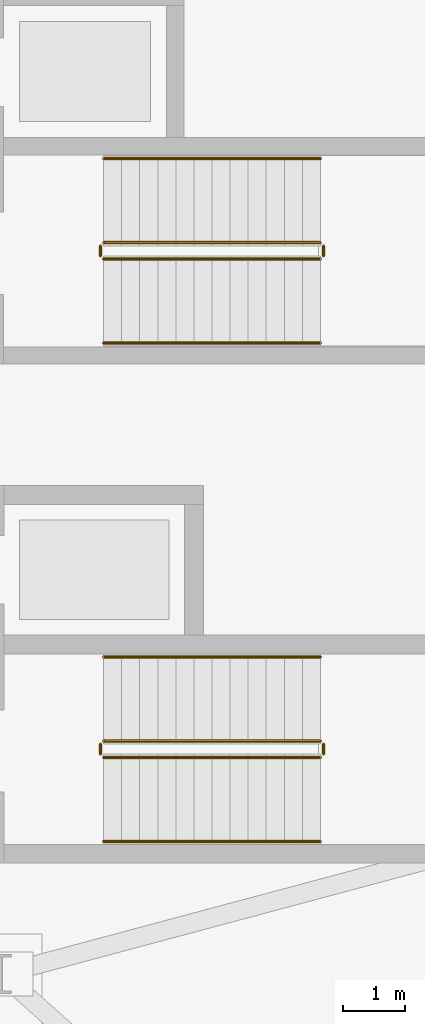
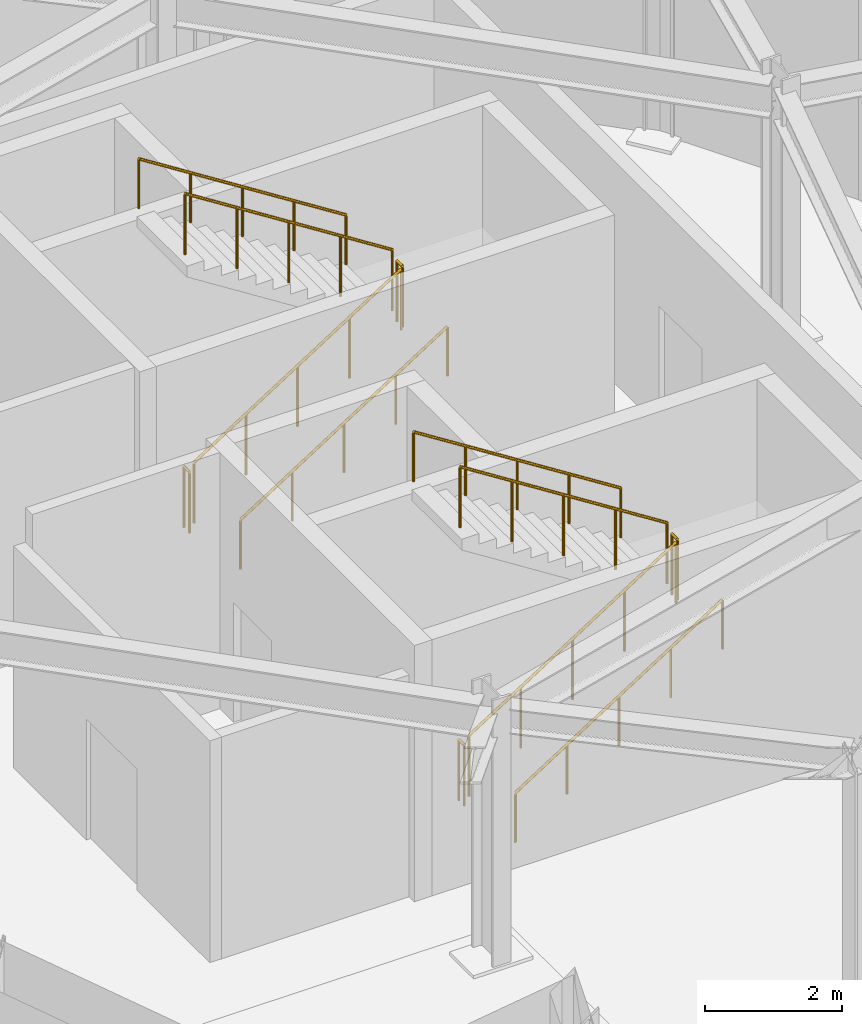
# One storey, part 47 of 50: 12 railings.
"""IFC4 building model written with IfcOpenShell, lengths in metres."""

from ifc_helpers import new_model, si_unit, direction, frame, origin, origin_2d, place, context, subcontext, project, spatial, circle, extrude, material, type_object, element, save


model = new_model("IFC4")

# Units and contexts
model_context = context("Model", 3, precision=1e-05, world=origin(), true_north=direction((0.0, 1.0)))
body_context = subcontext(model_context, "Body", "Model", "MODEL_VIEW")
ifc_project = project(units=[si_unit("LENGTHUNIT", "METRE"), si_unit("AREAUNIT", "SQUARE_METRE"), si_unit("VOLUMEUNIT", "CUBIC_METRE"), si_unit("PLANEANGLEUNIT", "RADIAN"), si_unit("MASSUNIT", "GRAM", prefix="KILO")], contexts=[model_context])

# Site, building, storey
site_placement = place(None, origin())
site = spatial("IfcSite", under=ifc_project, at=site_placement, CompositionType="ELEMENT")
building_placement = place(site_placement, origin())
building = spatial("IfcBuilding", under=site, at=building_placement, Name="Varnklinge Art Gallery", CompositionType="ELEMENT")
storey_placement = place(building_placement, frame((0.0, 0.0, -4.800048828125)))
storey = spatial("IfcBuildingStorey", under=building, at=storey_placement, Name="B01", CompositionType="ELEMENT", Elevation=-4.800048828125)

# Railings
ifc_material_1 = material(Name="Steel S355", Category="steel")
railing_type_1 = type_object("IfcRailingType", Name="GR-INT", PredefinedType="GUARDRAIL", material=ifc_material_1)
railing_1_placement = place(storey_placement, frame((74.699951171875, 32.89990234375, 0.1845703125)))
element("IfcRailing", 1, at=railing_1_placement, inside=storey, type_object=railing_type_1, Name="B01 ST-01 stair guard 1", PredefinedType="GUARDRAIL", context=body_context, shape_type="SweptSolid", body=[
    extrude(circle(Radius=0.02392578125, at=origin_2d()), frame((0.0, 0.0, 1.076171875), z_axis=(0.843546938479, 0.0, 0.53705545578), x_axis=(0.0, 1.0, 0.0)), (0.0, 0.0, 1.0), 4.12548828125),
    extrude(circle(Radius=0.02099609375, at=origin_2d()), origin(), (0.0, 0.0, 1.0), 1.052001953125),
    extrude(circle(Radius=0.02099609375, at=origin_2d()), frame((0.8701171875, 0.0, 0.553955078125)), (0.0, 0.0, 1.0), 1.052001953125),
    extrude(circle(Radius=0.02099609375, at=origin_2d()), frame((1.739990234375, 0.0, 1.10791015625)), (0.0, 0.0, 1.0), 1.052001953125),
    extrude(circle(Radius=0.02099609375, at=origin_2d()), frame((2.60986328125, 0.0, 1.66162109375)), (0.0, 0.0, 1.0), 1.052001953125),
    extrude(circle(Radius=0.02099609375, at=origin_2d()), frame((3.47998046875, 0.0, 2.215576171875)), (0.0, 0.0, 1.0), 1.052001953125),
])
railing_2_placement = place(storey_placement, frame((78.22998046875, 32.949951171875, 2.400146484375)))
element("IfcRailing", 2, at=railing_2_placement, inside=storey, type_object=railing_type_1, Name="B01 ST-01 stair guard 2", PredefinedType="GUARDRAIL", context=body_context, shape_type="SweptSolid", body=[
    extrude(circle(Radius=0.02392578125, at=origin_2d()), frame((0.0, 0.0, 1.076171875), z_axis=(0.0, 1.0, 0.0), x_axis=(-1.0, 0.0, 0.0)), (0.0, 0.0, 1.0), 0.16015625),
    extrude(circle(Radius=0.02099609375, at=origin_2d()), origin(), (0.0, 0.0, 1.0), 1.052001953125),
    extrude(circle(Radius=0.02099609375, at=origin_2d()), frame((0.0, 0.16015625, 0.0)), (0.0, 0.0, 1.0), 1.052001953125),
])
railing_3_placement = place(storey_placement, frame((78.179931640625, 33.159912109375, 2.584716796875)))
element("IfcRailing", 3, at=railing_3_placement, inside=storey, type_object=railing_type_1, Name="B01 ST-01 stair guard 3", PredefinedType="GUARDRAIL", context=body_context, shape_type="SweptSolid", body=[
    extrude(circle(Radius=0.02392578125, at=origin_2d()), frame((0.0, 0.0, 1.076171875), z_axis=(-0.843573748531, 0.0, 0.537013343214), x_axis=(0.0, -1.0, 0.0)), (0.0, 0.0, 1.0), 4.125244140625),
    extrude(circle(Radius=0.02099609375, at=origin_2d()), origin(), (0.0, 0.0, 1.0), 1.052001953125),
    extrude(circle(Radius=0.02099609375, at=origin_2d()), frame((-0.8701171875, 0.0, 0.5537109375)), (0.0, 0.0, 1.0), 1.052001953125),
    extrude(circle(Radius=0.02099609375, at=origin_2d()), frame((-1.739990234375, 0.0, 1.107666015625)), (0.0, 0.0, 1.0), 1.052001953125),
    extrude(circle(Radius=0.02099609375, at=origin_2d()), frame((-2.60986328125, 0.0, 1.66162109375)), (0.0, 0.0, 1.0), 1.052001953125),
    extrude(circle(Radius=0.02099609375, at=origin_2d()), frame((-3.47998046875, 0.0, 2.21533203125)), (0.0, 0.0, 1.0), 1.052001953125),
])
railing_4_placement = place(storey_placement, frame((74.64990234375, 32.949951171875, 0.0)))
element("IfcRailing", 4, at=railing_4_placement, inside=storey, type_object=railing_type_1, Name="B01 ST-01 stair guard 4", PredefinedType="GUARDRAIL", context=body_context, shape_type="SweptSolid", body=[
    extrude(circle(Radius=0.02392578125, at=origin_2d()), frame((0.0, 0.0, 1.076171875), z_axis=(0.0, 1.0, 0.0), x_axis=(-1.0, 0.0, 0.0)), (0.0, 0.0, 1.0), 0.16015625),
    extrude(circle(Radius=0.02099609375, at=origin_2d()), origin(), (0.0, 0.0, 1.0), 1.052001953125),
    extrude(circle(Radius=0.02099609375, at=origin_2d()), frame((0.0, 0.16015625, 0.0)), (0.0, 0.0, 1.0), 1.052001953125),
])
railing_5_placement = place(storey_placement, frame((74.699951171875, 40.89990234375, 0.1845703125)))
element("IfcRailing", 5, at=railing_5_placement, inside=storey, type_object=railing_type_1, Name="B01 ST-02 stair guard 1", PredefinedType="GUARDRAIL", context=body_context, shape_type="SweptSolid", body=[
    extrude(circle(Radius=0.02392578125, at=origin_2d()), frame((0.0, 0.0, 1.076171875), z_axis=(0.843546938479, 0.0, 0.53705545578), x_axis=(0.0, 1.0, 0.0)), (0.0, 0.0, 1.0), 4.12548828125),
    extrude(circle(Radius=0.02099609375, at=origin_2d()), origin(), (0.0, 0.0, 1.0), 1.052001953125),
    extrude(circle(Radius=0.02099609375, at=origin_2d()), frame((0.8701171875, 0.0, 0.553955078125)), (0.0, 0.0, 1.0), 1.052001953125),
    extrude(circle(Radius=0.02099609375, at=origin_2d()), frame((1.739990234375, 0.0, 1.10791015625)), (0.0, 0.0, 1.0), 1.052001953125),
    extrude(circle(Radius=0.02099609375, at=origin_2d()), frame((2.60986328125, 0.0, 1.66162109375)), (0.0, 0.0, 1.0), 1.052001953125),
    extrude(circle(Radius=0.02099609375, at=origin_2d()), frame((3.47998046875, 0.0, 2.215576171875)), (0.0, 0.0, 1.0), 1.052001953125),
])
railing_6_placement = place(storey_placement, frame((78.22998046875, 40.949951171875, 2.400146484375)))
element("IfcRailing", 6, at=railing_6_placement, inside=storey, type_object=railing_type_1, Name="B01 ST-02 stair guard 2", PredefinedType="GUARDRAIL", context=body_context, shape_type="SweptSolid", body=[
    extrude(circle(Radius=0.02392578125, at=origin_2d()), frame((0.0, 0.0, 1.076171875), z_axis=(0.0, 1.0, 0.0), x_axis=(-1.0, 0.0, 0.0)), (0.0, 0.0, 1.0), 0.16015625),
    extrude(circle(Radius=0.02099609375, at=origin_2d()), origin(), (0.0, 0.0, 1.0), 1.052001953125),
    extrude(circle(Radius=0.02099609375, at=origin_2d()), frame((0.0, 0.16015625, 0.0)), (0.0, 0.0, 1.0), 1.052001953125),
])
railing_7_placement = place(storey_placement, frame((78.179931640625, 41.159912109375, 2.584716796875)))
element("IfcRailing", 7, at=railing_7_placement, inside=storey, type_object=railing_type_1, Name="B01 ST-02 stair guard 3", PredefinedType="GUARDRAIL", context=body_context, shape_type="SweptSolid", body=[
    extrude(circle(Radius=0.02392578125, at=origin_2d()), frame((0.0, 0.0, 1.076171875), z_axis=(-0.843573748531, 0.0, 0.537013343214), x_axis=(0.0, -1.0, 0.0)), (0.0, 0.0, 1.0), 4.125244140625),
    extrude(circle(Radius=0.02099609375, at=origin_2d()), origin(), (0.0, 0.0, 1.0), 1.052001953125),
    extrude(circle(Radius=0.02099609375, at=origin_2d()), frame((-0.8701171875, 0.0, 0.5537109375)), (0.0, 0.0, 1.0), 1.052001953125),
    extrude(circle(Radius=0.02099609375, at=origin_2d()), frame((-1.739990234375, 0.0, 1.107666015625)), (0.0, 0.0, 1.0), 1.052001953125),
    extrude(circle(Radius=0.02099609375, at=origin_2d()), frame((-2.60986328125, 0.0, 1.66162109375)), (0.0, 0.0, 1.0), 1.052001953125),
    extrude(circle(Radius=0.02099609375, at=origin_2d()), frame((-3.47998046875, 0.0, 2.21533203125)), (0.0, 0.0, 1.0), 1.052001953125),
])
railing_8_placement = place(storey_placement, frame((74.64990234375, 40.949951171875, 0.0)))
element("IfcRailing", 8, at=railing_8_placement, inside=storey, type_object=railing_type_1, Name="B01 ST-02 stair guard 4", PredefinedType="GUARDRAIL", context=body_context, shape_type="SweptSolid", body=[
    extrude(circle(Radius=0.02392578125, at=origin_2d()), frame((0.0, 0.0, 1.076171875), z_axis=(0.0, 1.0, 0.0), x_axis=(-1.0, 0.0, 0.0)), (0.0, 0.0, 1.0), 0.16015625),
    extrude(circle(Radius=0.02099609375, at=origin_2d()), origin(), (0.0, 0.0, 1.0), 1.052001953125),
    extrude(circle(Radius=0.02099609375, at=origin_2d()), frame((0.0, 0.16015625, 0.0)), (0.0, 0.0, 1.0), 1.052001953125),
])
ifc_material_2 = material(Name="Steel S355", Category="steel")
railing_type_2 = type_object("IfcRailingType", Name="HR-01", PredefinedType="HANDRAIL", material=ifc_material_2)
railing_9_placement = place(storey_placement, frame((74.699951171875, 31.550048828125, 0.1845703125)))
element("IfcRailing", 9, at=railing_9_placement, inside=storey, type_object=railing_type_2, Name="B01 ST-01 stair handrail 1", PredefinedType="HANDRAIL", context=body_context, shape_type="SweptSolid", body=[
    extrude(circle(Radius=0.02392578125, at=origin_2d()), frame((0.0, 0.0, 0.8759765625), z_axis=(0.843546938479, 0.0, 0.53705545578), x_axis=(0.0, 1.0, 0.0)), (0.0, 0.0, 1.0), 4.12548828125),
    extrude(circle(Radius=0.02099609375, at=origin_2d()), origin(), (0.0, 0.0, 1.0), 0.851806640625),
    extrude(circle(Radius=0.02099609375, at=origin_2d()), frame((0.8701171875, 0.0, 0.553955078125)), (0.0, 0.0, 1.0), 0.851806640625),
    extrude(circle(Radius=0.02099609375, at=origin_2d()), frame((1.739990234375, 0.0, 1.10791015625)), (0.0, 0.0, 1.0), 0.851806640625),
    extrude(circle(Radius=0.02099609375, at=origin_2d()), frame((2.60986328125, 0.0, 1.66162109375)), (0.0, 0.0, 1.0), 0.851806640625),
    extrude(circle(Radius=0.02099609375, at=origin_2d()), frame((3.47998046875, 0.0, 2.215576171875)), (0.0, 0.0, 1.0), 0.851806640625),
])
railing_10_placement = place(storey_placement, frame((78.179931640625, 34.510009765625, 2.584716796875)))
element("IfcRailing", 10, at=railing_10_placement, inside=storey, type_object=railing_type_2, Name="B01 ST-01 stair handrail 2", PredefinedType="HANDRAIL", context=body_context, shape_type="SweptSolid", body=[
    extrude(circle(Radius=0.02392578125, at=origin_2d()), frame((0.0, 0.0, 0.8759765625), z_axis=(-0.843573748531, 0.0, 0.537013343214), x_axis=(0.0, -1.0, 0.0)), (0.0, 0.0, 1.0), 4.125244140625),
    extrude(circle(Radius=0.02099609375, at=origin_2d()), origin(), (0.0, 0.0, 1.0), 0.851806640625),
    extrude(circle(Radius=0.02099609375, at=origin_2d()), frame((-0.8701171875, 0.0, 0.5537109375)), (0.0, 0.0, 1.0), 0.851806640625),
    extrude(circle(Radius=0.02099609375, at=origin_2d()), frame((-1.739990234375, 0.0, 1.107666015625)), (0.0, 0.0, 1.0), 0.851806640625),
    extrude(circle(Radius=0.02099609375, at=origin_2d()), frame((-2.60986328125, 0.0, 1.66162109375)), (0.0, 0.0, 1.0), 0.851806640625),
    extrude(circle(Radius=0.02099609375, at=origin_2d()), frame((-3.47998046875, 0.0, 2.21533203125)), (0.0, 0.0, 1.0), 0.851806640625),
])
railing_11_placement = place(storey_placement, frame((74.699951171875, 39.550048828125, 0.1845703125)))
element("IfcRailing", 11, at=railing_11_placement, inside=storey, type_object=railing_type_2, Name="B01 ST-02 stair handrail 1", PredefinedType="HANDRAIL", context=body_context, shape_type="SweptSolid", body=[
    extrude(circle(Radius=0.02392578125, at=origin_2d()), frame((0.0, 0.0, 0.8759765625), z_axis=(0.843546938479, 0.0, 0.53705545578), x_axis=(0.0, 1.0, 0.0)), (0.0, 0.0, 1.0), 4.12548828125),
    extrude(circle(Radius=0.02099609375, at=origin_2d()), origin(), (0.0, 0.0, 1.0), 0.851806640625),
    extrude(circle(Radius=0.02099609375, at=origin_2d()), frame((0.8701171875, 0.0, 0.553955078125)), (0.0, 0.0, 1.0), 0.851806640625),
    extrude(circle(Radius=0.02099609375, at=origin_2d()), frame((1.739990234375, 0.0, 1.10791015625)), (0.0, 0.0, 1.0), 0.851806640625),
    extrude(circle(Radius=0.02099609375, at=origin_2d()), frame((2.60986328125, 0.0, 1.66162109375)), (0.0, 0.0, 1.0), 0.851806640625),
    extrude(circle(Radius=0.02099609375, at=origin_2d()), frame((3.47998046875, 0.0, 2.215576171875)), (0.0, 0.0, 1.0), 0.851806640625),
])
railing_12_placement = place(storey_placement, frame((78.179931640625, 42.510009765625, 2.584716796875)))
element("IfcRailing", 12, at=railing_12_placement, inside=storey, type_object=railing_type_2, Name="B01 ST-02 stair handrail 2", PredefinedType="HANDRAIL", context=body_context, shape_type="SweptSolid", body=[
    extrude(circle(Radius=0.02392578125, at=origin_2d()), frame((0.0, 0.0, 0.8759765625), z_axis=(-0.843573748531, 0.0, 0.537013343214), x_axis=(0.0, -1.0, 0.0)), (0.0, 0.0, 1.0), 4.125244140625),
    extrude(circle(Radius=0.02099609375, at=origin_2d()), origin(), (0.0, 0.0, 1.0), 0.851806640625),
    extrude(circle(Radius=0.02099609375, at=origin_2d()), frame((-0.8701171875, 0.0, 0.5537109375)), (0.0, 0.0, 1.0), 0.851806640625),
    extrude(circle(Radius=0.02099609375, at=origin_2d()), frame((-1.739990234375, 0.0, 1.107666015625)), (0.0, 0.0, 1.0), 0.851806640625),
    extrude(circle(Radius=0.02099609375, at=origin_2d()), frame((-2.60986328125, 0.0, 1.66162109375)), (0.0, 0.0, 1.0), 0.851806640625),
    extrude(circle(Radius=0.02099609375, at=origin_2d()), frame((-3.47998046875, 0.0, 2.21533203125)), (0.0, 0.0, 1.0), 0.851806640625),
])

save(model, "model.ifc")
